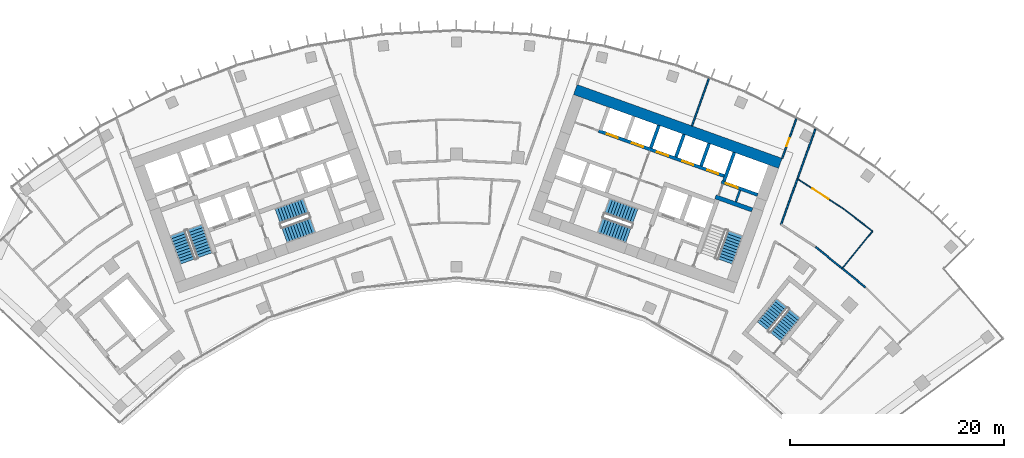
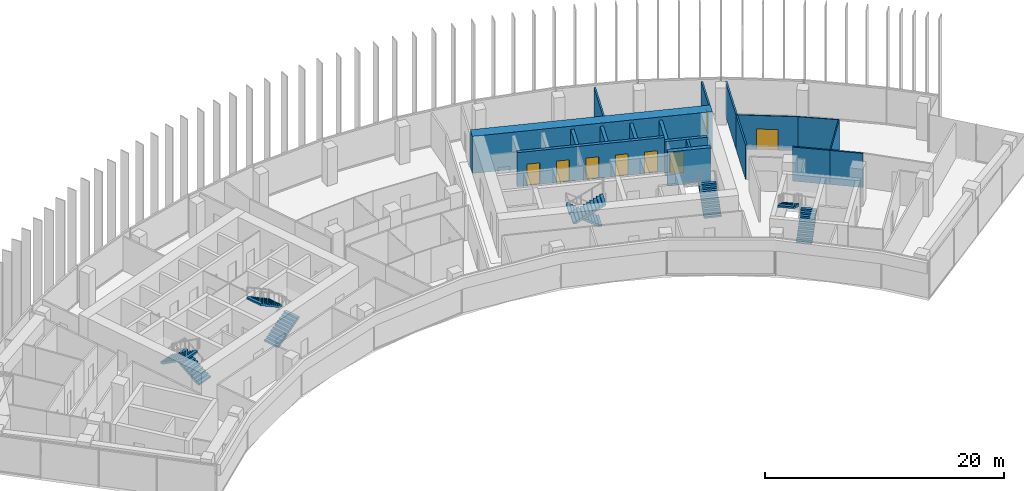
# One storey, part 18 of 20: 18 walls, 9 stair flights, 8 doors, 8 openings, 5 elements without a shape of their own.
"""IFC4 building model written with IfcOpenShell, lengths in metres."""

from ifc_helpers import new_model, si_unit, direction, frame, frame_2d, origin, place, context, subcontext, project, spatial, polyline, rectangle, outline, extrude, material, layer, layer_set, type_object, element, fill, aggregate, save


model = new_model("IFC4")

# Units and contexts
model_context = context("Model", 3, precision=1e-05, world=origin(), true_north=direction((0.0, 1.0)))
body_context = subcontext(model_context, "Body", "Model", "MODEL_VIEW")
ifc_project = project(units=[si_unit("LENGTHUNIT", "METRE"), si_unit("AREAUNIT", "SQUARE_METRE"), si_unit("VOLUMEUNIT", "CUBIC_METRE"), si_unit("PLANEANGLEUNIT", "RADIAN"), si_unit("MASSUNIT", "GRAM", prefix="KILO")], contexts=[model_context])

# Site, building, storey
site_placement = place(None, origin())
site = spatial("IfcSite", under=ifc_project, at=site_placement, CompositionType="ELEMENT")
building_placement = place(site_placement, origin())
building = spatial("IfcBuilding", under=site, at=building_placement, Name="Stone Belt Terrace Tower", CompositionType="ELEMENT")
storey_placement = place(building_placement, frame((0.0, 0.0, 212.39990234375)))
storey = spatial("IfcBuildingStorey", under=building, at=storey_placement, Name="L51", CompositionType="ELEMENT", Elevation=212.39990234375)

# Wall
ifc_material_1 = material(Name="Concrete B60", Category="concrete")
ifc_layer_1 = layer(ifc_material_1, 1.0)
ifc_layer_set_1 = layer_set([ifc_layer_1], Name="Core wall 1000 B60")
wall_type_1 = type_object("IfcWallType", Name="Core wall 1000 B60", PredefinedType="SHEAR", material=ifc_layer_set_1)
wall_1_placement = place(storey_placement, frame((11.12646484375, 61.038330078125, 0.0), z_axis=(0.0, 0.0, 1.0), x_axis=(0.940921428504, -0.338624962727, 0.0)))
element("IfcWall", 1, at=wall_1_placement, inside=storey, type_object=wall_type_1, Name="Core B wall convex L51", PredefinedType="SHEAR", context=body_context, shape_type="SweptSolid", body=[
    extrude(rectangle(XDim=20.400146484375, YDim=1.0, at=frame_2d((10.2001953125, 0.0))), origin(), (0.0, 0.0, 1.0), 3.800048828125),
])

# Wall, opening, door
ifc_material_2 = material(Name="Concrete B80", Category="concrete")
ifc_layer_2 = layer(ifc_material_2, 0.300048828125)
ifc_layer_set_2 = layer_set([ifc_layer_2], Name="Lift shaft wall 300")
wall_type_2 = type_object("IfcWallType", Name="Lift shaft wall 300", PredefinedType="SHEAR", material=ifc_layer_set_2)
wall_2_placement = place(storey_placement, frame((28.195068359375, 51.17578125, 0.0), z_axis=(0.0, 0.0, 1.0), x_axis=(-0.940901243567, 0.338681044427, 0.0)))
wall_2 = element("IfcWall", 2, at=wall_2_placement, inside=storey, type_object=wall_type_2, Name="Core B wall", PredefinedType="SHEAR", context=body_context, shape_type="SweptSolid", body=[
    extrude(rectangle(XDim=3.599853515625, YDim=0.300048828125, at=frame_2d((1.7998046875, 0.0))), origin(), (0.0, 0.0, 1.0), 3.47998046875),
])
opening_1_placement = place(wall_2_placement, frame((1.969970703125, 0.0, 0.0)))
opening_1 = element("IfcOpeningElement", 3, at=opening_1_placement, cuts=wall_2, Name="Opening L51-LD16", PredefinedType="OPENING", context=body_context, shape_type="SweptSolid", body=[
    extrude(rectangle(XDim=1.199951171875, YDim=2.199951171875, at=frame_2d((0.60009765625, 1.10009765625))), frame((0.0, 0.159912109375, 0.0), z_axis=(0.0, -1.0, 0.0), x_axis=(1.0, 0.0, 0.0)), (0.0, 0.0, 1.0), 0.320068359375),
])
ifc_material_3 = material(Name="Stainless steel door leaf", Category="steel")
door_type_1 = type_object("IfcDoorType", Name="Landing door 1200", OperationType="SLIDING_TO_LEFT", PredefinedType="DOOR", material=ifc_material_3)
door_1_placement = place(opening_1_placement, origin())
door_1 = element("IfcDoor", 4, at=door_1_placement, inside=storey, type_object=door_type_1, Name="Landing door SV1 core B", OperationType="SLIDING_TO_LEFT", OverallHeight=2.199951171875, OverallWidth=1.199951171875, PredefinedType="DOOR", context=body_context, shape_type="SweptSolid", body=[
    extrude(rectangle(XDim=1.199951171875, YDim=2.199951171875, at=frame_2d((0.60009765625, 1.10009765625))), frame((0.0, 0.02490234375, 0.0), z_axis=(0.0, -1.0, 0.0), x_axis=(1.0, 0.0, 0.0)), (0.0, 0.0, 1.0), 0.050048828125),
])
fill(opening_1, door_1)

# Wall
wall_3_placement = place(storey_placement, frame((25.046875, 52.46826171875, 0.0), z_axis=(0.0, 0.0, 1.0), x_axis=(0.338549588058, 0.940948551423, 0.0)))
element("IfcWall", 5, at=wall_3_placement, inside=storey, type_object=wall_type_2, Name="Core B wall", PredefinedType="SHEAR", context=body_context, shape_type="SweptSolid", body=[
    extrude(rectangle(XDim=2.849853515625, YDim=0.300048828125, at=frame_2d((1.4248046875, 0.0))), origin(), (0.0, 0.0, 1.0), 3.47998046875),
])

# Wall, openings, doors
wall_4_placement = place(storey_placement, frame((25.05810546875, 52.9423828125, 0.0), z_axis=(0.0, 0.0, 1.0), x_axis=(-0.940920770291, 0.338626791666, 0.0)))
wall_4 = element("IfcWall", 6, at=wall_4_placement, inside=storey, type_object=wall_type_2, Name="Core B wall", PredefinedType="SHEAR", context=body_context, shape_type="SweptSolid", body=[
    extrude(rectangle(XDim=12.500244140625, YDim=0.300048828125, at=frame_2d((6.25, 0.0))), origin(), (0.0, 0.0, 1.0), 3.47998046875),
])
opening_2_placement = place(wall_4_placement, frame((0.570068359375, 0.0, 0.0)))
opening_2 = element("IfcOpeningElement", 7, at=opening_2_placement, cuts=wall_4, Name="Opening L51-LD09", PredefinedType="OPENING", context=body_context, shape_type="SweptSolid", body=[
    extrude(rectangle(XDim=1.10009765625, YDim=2.199951171875, at=frame_2d((0.550048828125, 1.10009765625))), frame((0.0, 0.159912109375, 0.0), z_axis=(0.0, -1.0, 0.0), x_axis=(1.0, 0.0, 0.0)), (0.0, 0.0, 1.0), 0.320068359375),
])
opening_3_placement = place(wall_4_placement, frame((3.070068359375, 0.0, 0.0)))
opening_3 = element("IfcOpeningElement", 8, at=opening_3_placement, cuts=wall_4, Name="Opening L51-LD10", PredefinedType="OPENING", context=body_context, shape_type="SweptSolid", body=[
    extrude(rectangle(XDim=1.10009765625, YDim=2.199951171875, at=frame_2d((0.550048828125, 1.10009765625))), frame((0.0, 0.159912109375, 0.0), z_axis=(0.0, -1.0, 0.0), x_axis=(1.0, 0.0, 0.0)), (0.0, 0.0, 1.0), 0.320068359375),
])
opening_4_placement = place(wall_4_placement, frame((5.570068359375, 0.0, 0.0)))
opening_4 = element("IfcOpeningElement", 9, at=opening_4_placement, cuts=wall_4, Name="Opening L51-LD11", PredefinedType="OPENING", context=body_context, shape_type="SweptSolid", body=[
    extrude(rectangle(XDim=1.10009765625, YDim=2.199951171875, at=frame_2d((0.550048828125, 1.10009765625))), frame((0.0, 0.159912109375, 0.0), z_axis=(0.0, -1.0, 0.0), x_axis=(1.0, 0.0, 0.0)), (0.0, 0.0, 1.0), 0.320068359375),
])
opening_5_placement = place(wall_4_placement, frame((8.070068359375, 0.0, 0.0)))
opening_5 = element("IfcOpeningElement", 10, at=opening_5_placement, cuts=wall_4, Name="Opening L51-LD12", PredefinedType="OPENING", context=body_context, shape_type="SweptSolid", body=[
    extrude(rectangle(XDim=1.10009765625, YDim=2.199951171875, at=frame_2d((0.550048828125, 1.10009765625))), frame((0.0, 0.159912109375, 0.0), z_axis=(0.0, -1.0, 0.0), x_axis=(1.0, 0.0, 0.0)), (0.0, 0.0, 1.0), 0.320068359375),
])
opening_6_placement = place(wall_4_placement, frame((10.570068359375, 0.0, 0.0)))
opening_6 = element("IfcOpeningElement", 11, at=opening_6_placement, cuts=wall_4, Name="Opening L51-LD13", PredefinedType="OPENING", context=body_context, shape_type="SweptSolid", body=[
    extrude(rectangle(XDim=1.10009765625, YDim=2.199951171875, at=frame_2d((0.550048828125, 1.10009765625))), frame((0.0, 0.159912109375, 0.0), z_axis=(0.0, -1.0, 0.0), x_axis=(1.0, 0.0, 0.0)), (0.0, 0.0, 1.0), 0.320068359375),
])
door_type_2 = type_object("IfcDoorType", Name="Landing door 1100", OperationType="SLIDING_TO_LEFT", PredefinedType="DOOR", material=ifc_material_3)
door_2_placement = place(opening_2_placement, origin())
door_2 = element("IfcDoor", 12, at=door_2_placement, inside=storey, type_object=door_type_2, Name="Landing door MR1 core B", OperationType="SLIDING_TO_LEFT", OverallHeight=2.199951171875, OverallWidth=1.10009765625, PredefinedType="DOOR", context=body_context, shape_type="SweptSolid", body=[
    extrude(rectangle(XDim=1.10009765625, YDim=2.199951171875, at=frame_2d((0.550048828125, 1.10009765625))), frame((0.0, 0.02490234375, 0.0), z_axis=(0.0, -1.0, 0.0), x_axis=(1.0, 0.0, 0.0)), (0.0, 0.0, 1.0), 0.050048828125),
])
fill(opening_2, door_2)
door_3_placement = place(opening_3_placement, origin())
door_3 = element("IfcDoor", 13, at=door_3_placement, inside=storey, type_object=door_type_2, Name="Landing door MR2 core B", OperationType="SLIDING_TO_LEFT", OverallHeight=2.199951171875, OverallWidth=1.10009765625, PredefinedType="DOOR", context=body_context, shape_type="SweptSolid", body=[
    extrude(rectangle(XDim=1.10009765625, YDim=2.199951171875, at=frame_2d((0.550048828125, 1.10009765625))), frame((0.0, 0.02490234375, 0.0), z_axis=(0.0, -1.0, 0.0), x_axis=(1.0, 0.0, 0.0)), (0.0, 0.0, 1.0), 0.050048828125),
])
fill(opening_3, door_3)
door_4_placement = place(opening_4_placement, origin())
door_4 = element("IfcDoor", 14, at=door_4_placement, inside=storey, type_object=door_type_2, Name="Landing door MR3 core B", OperationType="SLIDING_TO_LEFT", OverallHeight=2.199951171875, OverallWidth=1.10009765625, PredefinedType="DOOR", context=body_context, shape_type="SweptSolid", body=[
    extrude(rectangle(XDim=1.10009765625, YDim=2.199951171875, at=frame_2d((0.550048828125, 1.10009765625))), frame((0.0, 0.02490234375, 0.0), z_axis=(0.0, -1.0, 0.0), x_axis=(1.0, 0.0, 0.0)), (0.0, 0.0, 1.0), 0.050048828125),
])
fill(opening_4, door_4)
door_5_placement = place(opening_5_placement, origin())
door_5 = element("IfcDoor", 15, at=door_5_placement, inside=storey, type_object=door_type_2, Name="Landing door MR4 core B", OperationType="SLIDING_TO_LEFT", OverallHeight=2.199951171875, OverallWidth=1.10009765625, PredefinedType="DOOR", context=body_context, shape_type="SweptSolid", body=[
    extrude(rectangle(XDim=1.10009765625, YDim=2.199951171875, at=frame_2d((0.550048828125, 1.10009765625))), frame((0.0, 0.02490234375, 0.0), z_axis=(0.0, -1.0, 0.0), x_axis=(1.0, 0.0, 0.0)), (0.0, 0.0, 1.0), 0.050048828125),
])
fill(opening_5, door_5)
door_6_placement = place(opening_6_placement, origin())
door_6 = element("IfcDoor", 16, at=door_6_placement, inside=storey, type_object=door_type_2, Name="Landing door MR5 core B", OperationType="SLIDING_TO_LEFT", OverallHeight=2.199951171875, OverallWidth=1.10009765625, PredefinedType="DOOR", context=body_context, shape_type="SweptSolid", body=[
    extrude(rectangle(XDim=1.10009765625, YDim=2.199951171875, at=frame_2d((0.550048828125, 1.10009765625))), frame((0.0, 0.02490234375, 0.0), z_axis=(0.0, -1.0, 0.0), x_axis=(1.0, 0.0, 0.0)), (0.0, 0.0, 1.0), 0.050048828125),
])
fill(opening_6, door_6)

# Walls
wall_5_placement = place(storey_placement, frame((22.897705078125, 53.87939453125, 0.0), z_axis=(0.0, 0.0, 1.0), x_axis=(0.338535034312, 0.940953787677, 0.0)))
element("IfcWall", 17, at=wall_5_placement, inside=storey, type_object=wall_type_2, Name="Core B wall", PredefinedType="SHEAR", context=body_context, shape_type="SweptSolid", body=[
    extrude(rectangle(XDim=2.25, YDim=0.300048828125, at=frame_2d((1.125, 0.0))), origin(), (0.0, 0.0, 1.0), 3.47998046875),
])
wall_6_placement = place(storey_placement, frame((20.54541015625, 54.72607421875, 0.0), z_axis=(0.0, 0.0, 1.0), x_axis=(0.338569601369, 0.940941350472, 0.0)))
element("IfcWall", 18, at=wall_6_placement, inside=storey, type_object=wall_type_2, Name="Core B wall", PredefinedType="SHEAR", context=body_context, shape_type="SweptSolid", body=[
    extrude(rectangle(XDim=2.249755859375, YDim=0.300048828125, at=frame_2d((1.125, 0.0))), origin(), (0.0, 0.0, 1.0), 3.47998046875),
])
wall_7_placement = place(storey_placement, frame((18.193115234375, 55.572509765625, 0.0), z_axis=(0.0, 0.0, 1.0), x_axis=(0.338535034312, 0.940953787677, 0.0)))
element("IfcWall", 19, at=wall_7_placement, inside=storey, type_object=wall_type_2, Name="Core B wall", PredefinedType="SHEAR", context=body_context, shape_type="SweptSolid", body=[
    extrude(rectangle(XDim=2.25, YDim=0.300048828125, at=frame_2d((1.125, 0.0))), origin(), (0.0, 0.0, 1.0), 3.47998046875),
])
ifc_material_4 = material(Name="Gypsum board partition")
ifc_layer_3 = layer(ifc_material_4, 0.10009765625)
ifc_layer_set_3 = layer_set([ifc_layer_3], Name="PARTITION 100")
wall_type_3 = type_object("IfcWallType", Name="PARTITION 100", PredefinedType="PARTITIONING", material=ifc_layer_set_3)
wall_8_placement = place(storey_placement, frame((36.113037109375, 44.2900390625, 0.0), z_axis=(0.0, 0.0, 1.0), x_axis=(0.631794915576, 0.77513559114, 0.0)))
element("IfcWall", 20, at=wall_8_placement, inside=storey, type_object=wall_type_3, Name="L51/wall/i069", PredefinedType="PARTITIONING", context=body_context, shape_type="SweptSolid", body=[
    extrude(rectangle(XDim=4.5, YDim=0.10009765625, at=frame_2d((2.25, 0.0))), origin(), (0.0, 0.0, 1.0), 3.47998046875),
])
wall_9_placement = place(storey_placement, frame((38.9560546875, 47.778076171875, 0.0), z_axis=(0.0, 0.0, 1.0), x_axis=(-0.792351688329, 0.610064588385, 0.0)))
element("IfcWall", 21, at=wall_9_placement, inside=storey, type_object=wall_type_3, Name="L51/wall/i070", PredefinedType="PARTITIONING", context=body_context, shape_type="SweptSolid", body=[
    extrude(rectangle(XDim=3.43408203125, YDim=0.10009765625, at=frame_2d((1.717041015625, 0.0))), origin(), (0.0, 0.0, 1.0), 3.47998046875),
])

# Wall, opening, door
wall_10_placement = place(storey_placement, frame((36.235107421875, 49.873046875, 0.0), z_axis=(0.0, 0.0, 1.0), x_axis=(-0.838688720145, 0.54461108206, 0.0)))
wall_10 = element("IfcWall", 22, at=wall_10_placement, inside=storey, type_object=wall_type_3, Name="L51/wall/i071", PredefinedType="PARTITIONING", context=body_context, shape_type="SweptSolid", body=[
    extrude(rectangle(XDim=5.141357421875, YDim=0.10009765625, at=frame_2d((2.57080078125, 0.0))), origin(), (0.0, 0.0, 1.0), 3.47998046875),
])
opening_7_placement = place(wall_10_placement, frame((1.670654296875, 0.0, 0.0)))
opening_7 = element("IfcOpeningElement", 23, at=opening_7_placement, cuts=wall_10, Name="Opening D-D2b-21", PredefinedType="OPENING", context=body_context, shape_type="SweptSolid", body=[
    extrude(rectangle(XDim=1.800048828125, YDim=2.10009765625, at=frame_2d((0.89990234375, 1.050048828125))), frame((0.0, 0.06005859375, 0.0), z_axis=(0.0, -1.0, 0.0), x_axis=(1.0, 0.0, 0.0)), (0.0, 0.0, 1.0), 0.1201171875),
])
ifc_material_5 = material(Name="Timber door leaf", Category="wood")
door_type_3 = type_object("IfcDoorType", Name="DOUBLE DOOR 1800 X 2100", OperationType="DOUBLE_DOOR_SINGLE_SWING", PredefinedType="DOOR", material=ifc_material_5)
door_7_placement = place(opening_7_placement, origin())
door_7 = element("IfcDoor", 24, at=door_7_placement, inside=storey, type_object=door_type_3, Name="L51/door/i21", OperationType="DOUBLE_DOOR_SINGLE_SWING", OverallHeight=2.10009765625, OverallWidth=1.800048828125, PredefinedType="DOOR", context=body_context, shape_type="SweptSolid", body=[
    extrude(rectangle(XDim=1.800048828125, YDim=2.10009765625, at=frame_2d((0.89990234375, 1.050048828125))), frame((0.0, 0.02490234375, 0.0), z_axis=(0.0, -1.0, 0.0), x_axis=(1.0, 0.0, 0.0)), (0.0, 0.0, 1.0), 0.050048828125),
])
fill(opening_7, door_7)

ifc_layer_4 = layer(ifc_material_4, 0.14990234375)
ifc_layer_set_4 = layer_set([ifc_layer_4], Name="PARTITION 150 EI 60")
wall_type_4 = type_object("IfcWallType", Name="PARTITION 150 EI 60", PredefinedType="PARTITIONING", material=ifc_layer_set_4)
wall_11_placement = place(storey_placement, frame((30.490966796875, 54.60107421875, 0.0), z_axis=(0.0, 0.0, 1.0), x_axis=(0.338542007836, 0.940951278723, 0.0)))
wall_11 = element("IfcWall", 25, at=wall_11_placement, inside=storey, type_object=wall_type_4, Name="L51/wall/i028", PredefinedType="PARTITIONING", context=body_context, shape_type="SweptSolid", body=[
    extrude(rectangle(XDim=3.946044921875, YDim=0.14990234375, at=frame_2d((1.97314453125, 0.0))), origin(), (0.0, 0.0, 1.0), 3.47998046875),
])
opening_8_placement = place(wall_11_placement, frame((1.191162109375, 0.0, 0.0)))
opening_8 = element("IfcOpeningElement", 26, at=opening_8_placement, cuts=wall_11, Name="Opening D-D2b-10", PredefinedType="OPENING", context=body_context, shape_type="SweptSolid", body=[
    extrude(rectangle(XDim=0.800048828125, YDim=2.10009765625, at=frame_2d((0.39990234375, 1.050048828125))), frame((0.0, 0.0849609375, 0.0), z_axis=(0.0, -1.0, 0.0), x_axis=(1.0, 0.0, 0.0)), (0.0, 0.0, 1.0), 0.169921875),
])
door_type_4 = type_object("IfcDoorType", Name="STORE DOOR 800 X 2100", OperationType="NOTDEFINED", PredefinedType="DOOR", material=ifc_material_5)
door_8_placement = place(opening_8_placement, origin())
door_8 = element("IfcDoor", 27, at=door_8_placement, inside=storey, type_object=door_type_4, Name="L51/door/i10", OperationType="SINGLE_SWING_LEFT", OverallHeight=2.10009765625, OverallWidth=0.800048828125, PredefinedType="DOOR", context=body_context, shape_type="SweptSolid", body=[
    extrude(rectangle(XDim=0.800048828125, YDim=2.10009765625, at=frame_2d((0.39990234375, 1.050048828125))), frame((0.0, 0.02490234375, 0.0), z_axis=(0.0, -1.0, 0.0), x_axis=(1.0, 0.0, 0.0)), (0.0, 0.0, 1.0), 0.050048828125),
])
fill(opening_8, door_8)

# Walls
wall_12_placement = place(storey_placement, frame((33.60791015625, 57.35400390625, 0.0), z_axis=(0.0, 0.0, 1.0), x_axis=(-0.33866393148, -0.940907403263, 0.0)))
element("IfcWall", 28, at=wall_12_placement, inside=storey, type_object=wall_type_4, Name="L51/wall/i031", PredefinedType="PARTITIONING", context=body_context, shape_type="SweptSolid", body=[
    extrude(rectangle(XDim=4.9814453125, YDim=0.14990234375, at=frame_2d((2.49072265625, 0.0))), origin(), (0.0, 0.0, 1.0), 3.47998046875),
])
wall_13_placement = place(storey_placement, frame((31.925048828125, 52.678955078125, 0.0), z_axis=(0.0, 0.0, 1.0), x_axis=(-0.338578458455, -0.940938163468, 0.0)))
element("IfcWall", 29, at=wall_13_placement, inside=storey, type_object=wall_type_4, Name="L51/wall/i032", PredefinedType="PARTITIONING", context=body_context, shape_type="SweptSolid", body=[
    extrude(rectangle(XDim=4.537109375, YDim=0.14990234375, at=frame_2d((2.2685546875, 0.0))), origin(), (0.0, 0.0, 1.0), 3.47998046875),
])
wall_14_placement = place(storey_placement, frame((23.636962890625, 62.06005859375, 0.0), z_axis=(0.0, 0.0, 1.0), x_axis=(-0.338682662698, -0.940900661063, 0.0)))
element("IfcWall", 30, at=wall_14_placement, inside=storey, type_object=wall_type_4, Name="L51/wall/i038", PredefinedType="PARTITIONING", context=body_context, shape_type="SweptSolid", body=[
    extrude(rectangle(XDim=4.69775390625, YDim=0.14990234375, at=frame_2d((2.348876953125, 0.0))), origin(), (0.0, 0.0, 1.0), 3.47998046875),
])
wall_15_placement = place(storey_placement, frame((36.10791015625, 44.2939453125, 0.0), z_axis=(0.0, 0.0, 1.0), x_axis=(0.777182094229, -0.629275768173, 0.0)))
element("IfcWall", 31, at=wall_15_placement, inside=storey, type_object=wall_type_4, Name="L51/wall/i063", PredefinedType="PARTITIONING", context=body_context, shape_type="SweptSolid", body=[
    extrude(rectangle(XDim=2.807861328125, YDim=0.14990234375, at=frame_2d((1.40380859375, 0.0))), origin(), (0.0, 0.0, 1.0), 3.47998046875),
])
wall_16_placement = place(storey_placement, frame((33.635986328125, 46.2958984375, 0.0), z_axis=(0.0, 0.0, 1.0), x_axis=(0.776997307165, -0.629503919493, 0.0)))
element("IfcWall", 32, at=wall_16_placement, inside=storey, type_object=wall_type_4, Name="L51/wall/i066", PredefinedType="PARTITIONING", context=body_context, shape_type="SweptSolid", body=[
    extrude(rectangle(XDim=3.193115234375, YDim=0.14990234375, at=frame_2d((1.5966796875, 0.0))), origin(), (0.0, 0.0, 1.0), 3.47998046875),
])
ifc_material_6 = material(Name="Concrete masonry block", Category="masonry")
ifc_layer_5 = layer(ifc_material_6, 0.199951171875)
ifc_layer_set_5 = layer_set([ifc_layer_5], Name="Rated lobby wall 200")
wall_type_5 = type_object("IfcWallType", Name="Rated lobby wall 200", PredefinedType="PARTITIONING", material=ifc_layer_set_5)
wall_17_placement = place(storey_placement, frame((26.1552734375, 50.5283203125, 0.0), z_axis=(0.0, 0.0, 1.0), x_axis=(0.338621735342, 0.94092258999, 0.0)))
element("IfcWall", 33, at=wall_17_placement, inside=storey, type_object=wall_type_5, Name="Core B wall", PredefinedType="PARTITIONING", context=body_context, shape_type="SweptSolid", body=[
    extrude(rectangle(XDim=1.14990234375, YDim=0.199951171875, at=frame_2d((0.574951171875, 0.0))), origin(), (0.0, 0.0, 1.0), 3.47998046875),
])
ifc_layer_6 = layer(ifc_material_2, 0.39990234375)
ifc_layer_set_6 = layer_set([ifc_layer_6], Name="Stair enclosure wall 400")
wall_type_6 = type_object("IfcWallType", Name="Stair enclosure wall 400", PredefinedType="SHEAR", material=ifc_layer_set_6)
wall_18_placement = place(storey_placement, frame((27.687255859375, 49.764404296875, 0.0), z_axis=(0.0, 0.0, 1.0), x_axis=(-0.940918954884, 0.338631835981, 0.0)))
element("IfcWall", 34, at=wall_18_placement, inside=storey, type_object=wall_type_6, Name="Core B wall", PredefinedType="SHEAR", context=body_context, shape_type="SweptSolid", body=[
    extrude(rectangle(XDim=3.650146484375, YDim=0.39990234375, at=frame_2d((1.8251953125, 0.0))), origin(), (0.0, 0.0, 1.0), 3.47998046875),
])

# Stair, stair flights
ifc_material_7 = material(Name="Concrete B40", Category="concrete")
stair_type = type_object("IfcStairType", Name="Exit stair 1500", PredefinedType="HALF_TURN_STAIR", material=ifc_material_7)
stair_1_placement = place(storey_placement, origin())
stair_1 = element("IfcStair", 35, at=stair_1_placement, inside=storey, type_object=stair_type, Name="L51 Exit stair 1 core A", PredefinedType="HALF_TURN_STAIR")
stair_flight_type = type_object("IfcStairFlightType", Name="Stair flight 1500", PredefinedType="STRAIGHT", material=ifc_material_7)
stair_flight_1_placement = place(storey_placement, frame((-23.55322265625, 45.51318359375, 0.0), z_axis=(0.0, 0.0, 1.0), x_axis=(-0.338624396177, 0.940921632398, 0.0)))
stair_flight_1 = element("IfcStairFlight", 36, at=stair_flight_1_placement, type_object=stair_flight_type, Name="ST1A flight 1", NumberOfRisers=11, NumberOfTreads=10, PredefinedType="STRAIGHT", RiserHeight=0.172727273, TreadLength=0.28, context=body_context, shape_type="SweptSolid", body=[
    extrude(outline(polyline([(0.0, 0.0), (0.0, 0.172607421875), (0.280029296875, 0.172607421875), (0.280029296875, 0.345458984375), (0.56005859375, 0.345458984375), (0.56005859375, 0.51806640625), (0.840087890625, 0.51806640625), (0.840087890625, 0.69091796875), (1.1201171875, 0.69091796875), (1.1201171875, 0.863525390625), (1.39990234375, 0.863525390625), (1.39990234375, 1.036376953125), (1.679931640625, 1.036376953125), (1.679931640625, 1.208984375), (1.9599609375, 1.208984375), (1.9599609375, 1.3818359375), (2.239990234375, 1.3818359375), (2.239990234375, 1.554443359375), (2.52001953125, 1.554443359375), (2.52001953125, 1.727294921875), (2.800048828125, 1.727294921875), (2.800048828125, 1.89990234375), (2.800048828125, 1.551025390625), (0.285400390625, 0.0), (0.0, 0.0)])), frame((0.0, 0.75, 0.0), z_axis=(0.0, -1.0, 0.0), x_axis=(1.0, 0.0, 0.0)), (0.0, 0.0, 1.0), 1.5),
])
stair_flight_2_placement = place(storey_placement, frame((-26.10107421875, 47.572021484375, 1.900146484375), z_axis=(0.0, 0.0, 1.0), x_axis=(0.338624396177, -0.940921632398, 0.0)))
stair_flight_2 = element("IfcStairFlight", 37, at=stair_flight_2_placement, type_object=stair_flight_type, Name="ST1A flight 2", NumberOfRisers=11, NumberOfTreads=10, PredefinedType="STRAIGHT", RiserHeight=0.172727273, TreadLength=0.28, context=body_context, shape_type="SweptSolid", body=[
    extrude(outline(polyline([(0.0, 0.0), (0.0, 0.172607421875), (0.280029296875, 0.172607421875), (0.280029296875, 0.345458984375), (0.56005859375, 0.345458984375), (0.56005859375, 0.51806640625), (0.840087890625, 0.51806640625), (0.840087890625, 0.69091796875), (1.1201171875, 0.69091796875), (1.1201171875, 0.863525390625), (1.39990234375, 0.863525390625), (1.39990234375, 1.036376953125), (1.679931640625, 1.036376953125), (1.679931640625, 1.208984375), (1.9599609375, 1.208984375), (1.9599609375, 1.3818359375), (2.239990234375, 1.3818359375), (2.239990234375, 1.554443359375), (2.52001953125, 1.554443359375), (2.52001953125, 1.727294921875), (2.800048828125, 1.727294921875), (2.800048828125, 1.89990234375), (2.800048828125, 1.551025390625), (0.285400390625, 0.0), (0.0, 0.0)])), frame((0.0, 0.75, 0.0), z_axis=(0.0, -1.0, 0.0), x_axis=(1.0, 0.0, 0.0)), (0.0, 0.0, 1.0), 1.5),
])
aggregate(stair_1, [stair_flight_1, stair_flight_2])

stair_2_placement = place(storey_placement, origin())
stair_2 = element("IfcStair", 38, at=stair_2_placement, inside=storey, type_object=stair_type, Name="L51 Exit stair 2 core A", PredefinedType="HALF_TURN_STAIR")
stair_flight_3_placement = place(storey_placement, frame((-16.101318359375, 47.39794921875, 0.0), z_axis=(0.0, 0.0, 1.0), x_axis=(0.940921632398, 0.338624396177, 0.0)))
stair_flight_3 = element("IfcStairFlight", 39, at=stair_flight_3_placement, type_object=stair_flight_type, Name="ST2A flight 1", NumberOfRisers=11, NumberOfTreads=10, PredefinedType="STRAIGHT", RiserHeight=0.172727273, TreadLength=0.28, context=body_context, shape_type="SweptSolid", body=[
    extrude(outline(polyline([(0.0, 0.0), (0.0, 0.172607421875), (0.280029296875, 0.172607421875), (0.280029296875, 0.345458984375), (0.56005859375, 0.345458984375), (0.56005859375, 0.51806640625), (0.840087890625, 0.51806640625), (0.840087890625, 0.69091796875), (1.1201171875, 0.69091796875), (1.1201171875, 0.863525390625), (1.39990234375, 0.863525390625), (1.39990234375, 1.036376953125), (1.679931640625, 1.036376953125), (1.679931640625, 1.208984375), (1.9599609375, 1.208984375), (1.9599609375, 1.3818359375), (2.239990234375, 1.3818359375), (2.239990234375, 1.554443359375), (2.52001953125, 1.554443359375), (2.52001953125, 1.727294921875), (2.800048828125, 1.727294921875), (2.800048828125, 1.89990234375), (2.800048828125, 1.551025390625), (0.285400390625, 0.0), (0.0, 0.0)])), frame((0.0, 0.75, 0.0), z_axis=(0.0, -1.0, 0.0), x_axis=(1.0, 0.0, 0.0)), (0.0, 0.0, 1.0), 1.5),
])
stair_flight_4_placement = place(storey_placement, frame((-14.110107421875, 50.1337890625, 1.900146484375), z_axis=(0.0, 0.0, 1.0), x_axis=(-0.940921632398, -0.338624396177, 0.0)))
stair_flight_4 = element("IfcStairFlight", 40, at=stair_flight_4_placement, type_object=stair_flight_type, Name="ST2A flight 2", NumberOfRisers=11, NumberOfTreads=10, PredefinedType="STRAIGHT", RiserHeight=0.172727273, TreadLength=0.28, context=body_context, shape_type="SweptSolid", body=[
    extrude(outline(polyline([(0.0, 0.0), (0.0, 0.172607421875), (0.280029296875, 0.172607421875), (0.280029296875, 0.345458984375), (0.56005859375, 0.345458984375), (0.56005859375, 0.51806640625), (0.840087890625, 0.51806640625), (0.840087890625, 0.69091796875), (1.1201171875, 0.69091796875), (1.1201171875, 0.863525390625), (1.39990234375, 0.863525390625), (1.39990234375, 1.036376953125), (1.679931640625, 1.036376953125), (1.679931640625, 1.208984375), (1.9599609375, 1.208984375), (1.9599609375, 1.3818359375), (2.239990234375, 1.3818359375), (2.239990234375, 1.554443359375), (2.52001953125, 1.554443359375), (2.52001953125, 1.727294921875), (2.800048828125, 1.727294921875), (2.800048828125, 1.89990234375), (2.800048828125, 1.551025390625), (0.285400390625, 0.0), (0.0, 0.0)])), frame((0.0, 0.75, 0.0), z_axis=(0.0, -1.0, 0.0), x_axis=(1.0, 0.0, 0.0)), (0.0, 0.0, 1.0), 1.5),
])
aggregate(stair_2, [stair_flight_3, stair_flight_4])

# Stair, stair flight
stair_3_placement = place(storey_placement, origin())
stair_3 = element("IfcStair", 41, at=stair_3_placement, inside=storey, type_object=stair_type, Name="L51 Exit stair 1 core B", PredefinedType="HALF_TURN_STAIR")
stair_flight_5_placement = place(storey_placement, frame((25.15283203125, 44.9375, 0.0), z_axis=(0.0, 0.0, 1.0), x_axis=(0.338624396177, 0.940921632398, 0.0)))
stair_flight_5 = element("IfcStairFlight", 42, at=stair_flight_5_placement, type_object=stair_flight_type, Name="ST1B flight 1", NumberOfRisers=11, NumberOfTreads=10, PredefinedType="STRAIGHT", RiserHeight=0.172727273, TreadLength=0.28, context=body_context, shape_type="SweptSolid", body=[
    extrude(outline(polyline([(0.0, 0.0), (0.0, 0.172607421875), (0.280029296875, 0.172607421875), (0.280029296875, 0.345458984375), (0.56005859375, 0.345458984375), (0.56005859375, 0.51806640625), (0.840087890625, 0.51806640625), (0.840087890625, 0.69091796875), (1.1201171875, 0.69091796875), (1.1201171875, 0.863525390625), (1.39990234375, 0.863525390625), (1.39990234375, 1.036376953125), (1.679931640625, 1.036376953125), (1.679931640625, 1.208984375), (1.9599609375, 1.208984375), (1.9599609375, 1.3818359375), (2.239990234375, 1.3818359375), (2.239990234375, 1.554443359375), (2.52001953125, 1.554443359375), (2.52001953125, 1.727294921875), (2.800048828125, 1.727294921875), (2.800048828125, 1.89990234375), (2.800048828125, 1.551025390625), (0.285400390625, 0.0), (0.0, 0.0)])), frame((0.0, 0.75, 0.0), z_axis=(0.0, -1.0, 0.0), x_axis=(1.0, 0.0, 0.0)), (0.0, 0.0, 1.0), 1.5),
])
aggregate(stair_3, [stair_flight_5])

# Stair, stair flights
stair_4_placement = place(storey_placement, origin())
stair_4 = element("IfcStair", 43, at=stair_4_placement, inside=storey, type_object=stair_type, Name="L51 Exit stair 2 core B", PredefinedType="HALF_TURN_STAIR")
stair_flight_6_placement = place(storey_placement, frame((16.74462890625, 49.185546875, 0.0), z_axis=(0.0, 0.0, 1.0), x_axis=(-0.940921632398, 0.338624396177, 0.0)))
stair_flight_6 = element("IfcStairFlight", 44, at=stair_flight_6_placement, type_object=stair_flight_type, Name="ST2B flight 1", NumberOfRisers=11, NumberOfTreads=10, PredefinedType="STRAIGHT", RiserHeight=0.172727273, TreadLength=0.28, context=body_context, shape_type="SweptSolid", body=[
    extrude(outline(polyline([(0.0, 0.0), (0.0, 0.172607421875), (0.280029296875, 0.172607421875), (0.280029296875, 0.345458984375), (0.56005859375, 0.345458984375), (0.56005859375, 0.51806640625), (0.840087890625, 0.51806640625), (0.840087890625, 0.69091796875), (1.1201171875, 0.69091796875), (1.1201171875, 0.863525390625), (1.39990234375, 0.863525390625), (1.39990234375, 1.036376953125), (1.679931640625, 1.036376953125), (1.679931640625, 1.208984375), (1.9599609375, 1.208984375), (1.9599609375, 1.3818359375), (2.239990234375, 1.3818359375), (2.239990234375, 1.554443359375), (2.52001953125, 1.554443359375), (2.52001953125, 1.727294921875), (2.800048828125, 1.727294921875), (2.800048828125, 1.89990234375), (2.800048828125, 1.551025390625), (0.285400390625, 0.0), (0.0, 0.0)])), frame((0.0, 0.75, 0.0), z_axis=(0.0, -1.0, 0.0), x_axis=(1.0, 0.0, 0.0)), (0.0, 0.0, 1.0), 1.5),
])
stair_flight_7_placement = place(storey_placement, frame((13.466796875, 48.345947265625, 1.900146484375), z_axis=(0.0, 0.0, 1.0), x_axis=(0.940921632398, -0.338624396177, 0.0)))
stair_flight_7 = element("IfcStairFlight", 45, at=stair_flight_7_placement, type_object=stair_flight_type, Name="ST2B flight 2", NumberOfRisers=11, NumberOfTreads=10, PredefinedType="STRAIGHT", RiserHeight=0.172727273, TreadLength=0.28, context=body_context, shape_type="SweptSolid", body=[
    extrude(outline(polyline([(0.0, 0.0), (0.0, 0.172607421875), (0.280029296875, 0.172607421875), (0.280029296875, 0.345458984375), (0.56005859375, 0.345458984375), (0.56005859375, 0.51806640625), (0.840087890625, 0.51806640625), (0.840087890625, 0.69091796875), (1.1201171875, 0.69091796875), (1.1201171875, 0.863525390625), (1.39990234375, 0.863525390625), (1.39990234375, 1.036376953125), (1.679931640625, 1.036376953125), (1.679931640625, 1.208984375), (1.9599609375, 1.208984375), (1.9599609375, 1.3818359375), (2.239990234375, 1.3818359375), (2.239990234375, 1.554443359375), (2.52001953125, 1.554443359375), (2.52001953125, 1.727294921875), (2.800048828125, 1.727294921875), (2.800048828125, 1.89990234375), (2.800048828125, 1.551025390625), (0.285400390625, 0.0), (0.0, 0.0)])), frame((0.0, 0.75, 0.0), z_axis=(0.0, -1.0, 0.0), x_axis=(1.0, 0.0, 0.0)), (0.0, 0.0, 1.0), 1.5),
])
aggregate(stair_4, [stair_flight_6, stair_flight_7])

stair_5_placement = place(storey_placement, origin())
stair_5 = element("IfcStair", 46, at=stair_5_placement, inside=storey, type_object=stair_type, Name="L51 Exit stair 3B", PredefinedType="HALF_TURN_STAIR")
stair_flight_8_placement = place(storey_placement, frame((29.88330078125, 37.887939453125, 0.0), z_axis=(0.0, 0.0, 1.0), x_axis=(0.630205749599, 0.776428176441, 0.0)))
stair_flight_8 = element("IfcStairFlight", 47, at=stair_flight_8_placement, type_object=stair_flight_type, Name="ST3B flight 1", NumberOfRisers=11, NumberOfTreads=10, PredefinedType="STRAIGHT", RiserHeight=0.172727273, TreadLength=0.28, context=body_context, shape_type="SweptSolid", body=[
    extrude(outline(polyline([(0.0, 0.0), (0.0, 0.172607421875), (0.280029296875, 0.172607421875), (0.280029296875, 0.345458984375), (0.56005859375, 0.345458984375), (0.56005859375, 0.51806640625), (0.840087890625, 0.51806640625), (0.840087890625, 0.69091796875), (1.1201171875, 0.69091796875), (1.1201171875, 0.863525390625), (1.39990234375, 0.863525390625), (1.39990234375, 1.036376953125), (1.679931640625, 1.036376953125), (1.679931640625, 1.208984375), (1.9599609375, 1.208984375), (1.9599609375, 1.3818359375), (2.239990234375, 1.3818359375), (2.239990234375, 1.554443359375), (2.52001953125, 1.554443359375), (2.52001953125, 1.727294921875), (2.800048828125, 1.727294921875), (2.800048828125, 1.89990234375), (2.800048828125, 1.551025390625), (0.285400390625, 0.0), (0.0, 0.0)])), frame((0.0, 0.675048828125, 0.0), z_axis=(0.0, -1.0, 0.0), x_axis=(1.0, 0.0, 0.0)), (0.0, 0.0, 1.0), 1.35009765625),
])
stair_flight_9_placement = place(storey_placement, frame((30.4443359375, 41.038818359375, 1.900146484375), z_axis=(0.0, 0.0, 1.0), x_axis=(-0.630205749599, -0.776428176441, 0.0)))
stair_flight_9 = element("IfcStairFlight", 48, at=stair_flight_9_placement, type_object=stair_flight_type, Name="ST3B flight 2", NumberOfRisers=11, NumberOfTreads=10, PredefinedType="STRAIGHT", RiserHeight=0.172727273, TreadLength=0.28, context=body_context, shape_type="SweptSolid", body=[
    extrude(outline(polyline([(0.0, 0.0), (0.0, 0.172607421875), (0.280029296875, 0.172607421875), (0.280029296875, 0.345458984375), (0.56005859375, 0.345458984375), (0.56005859375, 0.51806640625), (0.840087890625, 0.51806640625), (0.840087890625, 0.69091796875), (1.1201171875, 0.69091796875), (1.1201171875, 0.863525390625), (1.39990234375, 0.863525390625), (1.39990234375, 1.036376953125), (1.679931640625, 1.036376953125), (1.679931640625, 1.208984375), (1.9599609375, 1.208984375), (1.9599609375, 1.3818359375), (2.239990234375, 1.3818359375), (2.239990234375, 1.554443359375), (2.52001953125, 1.554443359375), (2.52001953125, 1.727294921875), (2.800048828125, 1.727294921875), (2.800048828125, 1.89990234375), (2.800048828125, 1.551025390625), (0.285400390625, 0.0), (0.0, 0.0)])), frame((0.0, 0.675048828125, 0.0), z_axis=(0.0, -1.0, 0.0), x_axis=(1.0, 0.0, 0.0)), (0.0, 0.0, 1.0), 1.35009765625),
])
aggregate(stair_5, [stair_flight_8, stair_flight_9])

save(model, "model.ifc")
